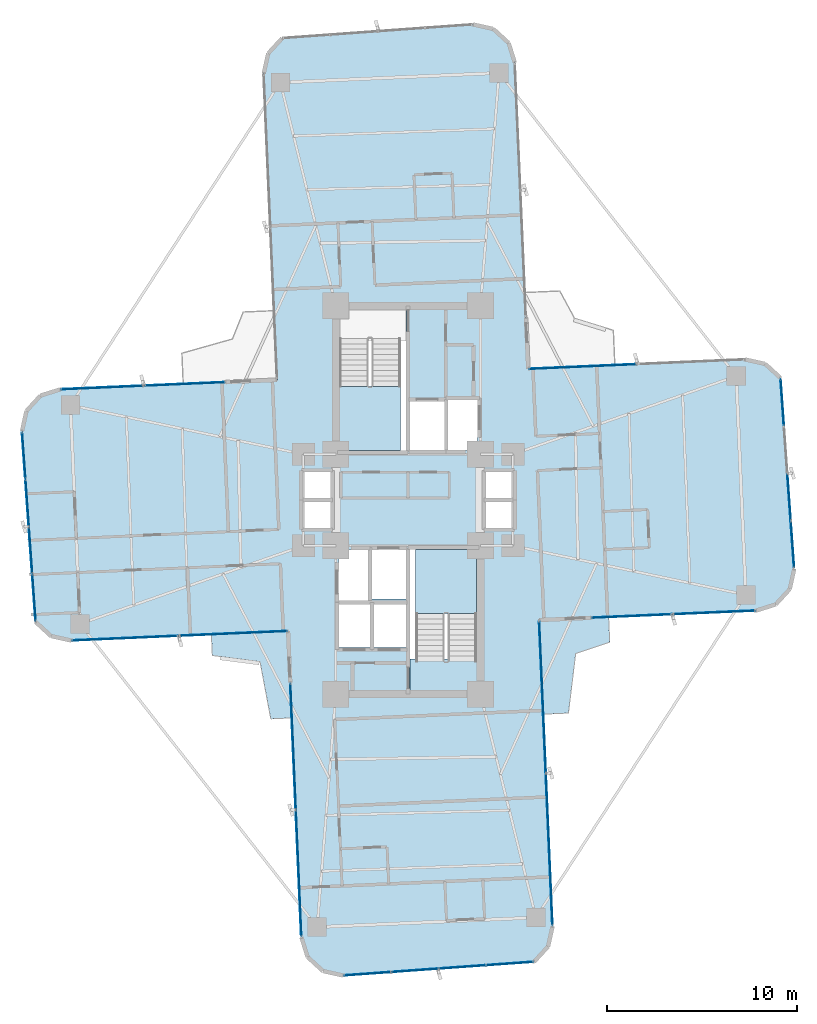
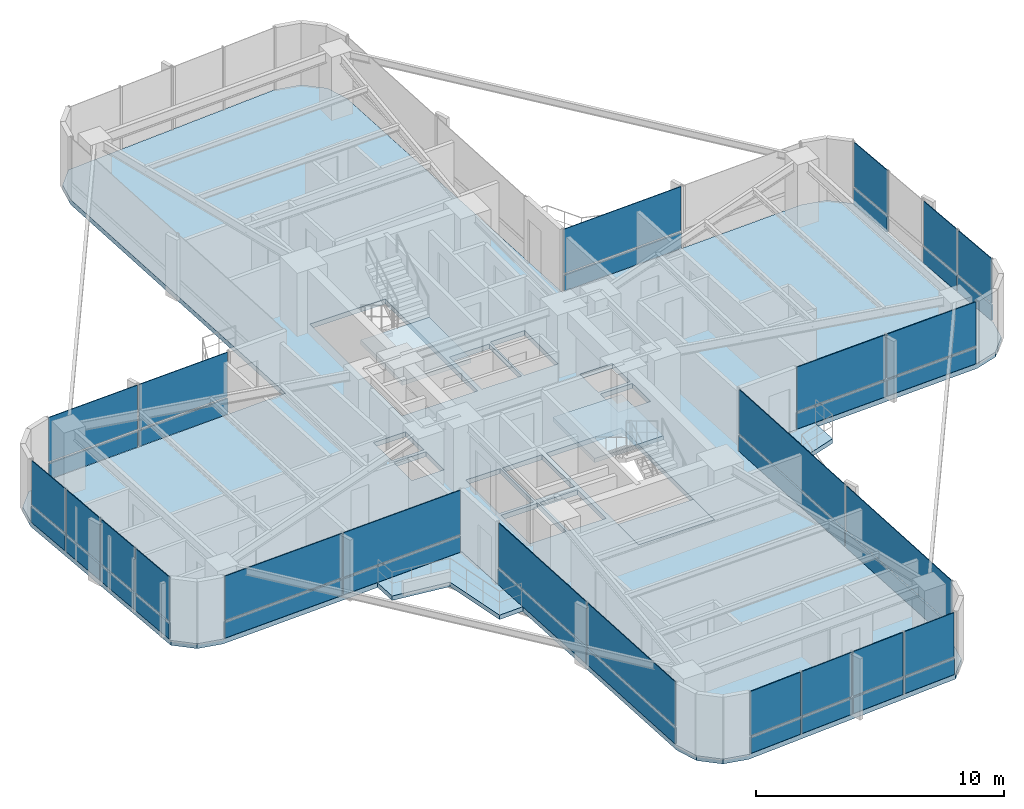
# One storey, part 21 of 26: 44 plates, 6 slabs, 11 elements without a shape of their own.
"""IFC4 building model written with IfcOpenShell, lengths in metres."""

from ifc_helpers import new_model, si_unit, direction, frame, origin, origin_2d, place, context, subcontext, project, spatial, polyline, rectangle, outline, extrude, source, transform, mapped, material, layer, layer_set, type_object, element, aggregate, save


model = new_model("IFC4")

# Units and contexts
model_context = context("Model", 3, precision=1e-05, world=origin(), true_north=direction((0.0, 1.0)))
body_context = subcontext(model_context, "Body", "Model", "MODEL_VIEW")
ifc_project = project(units=[si_unit("LENGTHUNIT", "METRE"), si_unit("AREAUNIT", "SQUARE_METRE"), si_unit("VOLUMEUNIT", "CUBIC_METRE"), si_unit("PLANEANGLEUNIT", "RADIAN"), si_unit("MASSUNIT", "GRAM", prefix="KILO")], contexts=[model_context])

# Site, building, storey
site_placement = place(None, origin())
site = spatial("IfcSite", under=ifc_project, at=site_placement, CompositionType="ELEMENT")
building_placement = place(site_placement, origin())
building = spatial("IfcBuilding", under=site, at=building_placement, Name="Sahyath Konkavel Grand Hotel", CompositionType="ELEMENT")
storey_placement = place(building_placement, frame((0.0, 0.0, 111.449951171875)))
storey = spatial("IfcBuildingStorey", under=building, at=storey_placement, Name="L30", CompositionType="ELEMENT", Elevation=111.449951171875)

# Slabs
ifc_material_1 = material(Name="Concrete C40/50", Category="concrete")
ifc_layer_1 = layer(ifc_material_1, 0.239990234375)
ifc_layer_set_1 = layer_set([ifc_layer_1], Name="Concrete C40/50")
slab_type_1 = type_object("IfcSlabType", Name="SLB-240", PredefinedType="FLOOR", material=ifc_layer_set_1)
slab_1_placement = place(storey_placement, frame((0.0, 0.0, -0.239990234375)))
element("IfcSlab", 1, at=slab_1_placement, inside=storey, type_object=slab_type_1, Name="L30 Structural Floor Slab", PredefinedType="FLOOR", context=body_context, shape_type="SweptSolid", body=[
    extrude(outline(polyline([(6.881591796875, -6.305908203125), (18.270751953125, -5.80859375), (19.3076171875, -5.481689453125), (20.0419921875, -4.68017578125), (20.277099609375, -3.618896484375), (19.5576171875, 6.4091796875), (18.75634765625, 7.1435546875), (17.695068359375, 7.37890625), (6.305908203125, 6.881591796875), (5.603515625, 22.96630859375), (5.276611328125, 24.0029296875), (4.47509765625, 24.7373046875), (3.4140625, 24.97265625), (-6.6142578125, 24.253173828125), (-7.3486328125, 23.451904296875), (-7.583984375, 22.390380859375), (-6.881591796875, 6.305908203125), (-18.270751953125, 5.80859375), (-19.3076171875, 5.481689453125), (-20.0419921875, 4.68017578125), (-20.277099609375, 3.618896484375), (-19.5576171875, -6.4091796875), (-18.75634765625, -7.1435546875), (-17.695068359375, -7.37890625), (-6.305908203125, -6.881591796875), (-5.603515625, -22.96630859375), (-5.276611328125, -24.0029296875), (-4.47509765625, -24.7373046875), (-3.4140625, -24.97265625), (6.6142578125, -24.253173828125), (7.3486328125, -23.451904296875), (7.583984375, -22.390380859375), (6.881591796875, -6.305908203125)]), holes=[polyline([(-3.6201171875, 2.580078125), (-0.10009765625, 2.580078125), (-0.10009765625, 10.02001953125), (-3.6201171875, 10.02001953125), (-3.6201171875, 2.580078125)]), polyline([(0.10009765625, -10.02001953125), (3.6201171875, -10.02001953125), (3.6201171875, -2.580078125), (0.10009765625, -2.580078125), (0.10009765625, -10.02001953125)]), polyline([(0.10009765625, 2.60009765625), (1.949951171875, 2.60009765625), (1.949951171875, 5.199951171875), (0.10009765625, 5.199951171875), (0.10009765625, 2.60009765625)]), polyline([(-1.949951171875, -5.199951171875), (-0.10009765625, -5.199951171875), (-0.10009765625, -2.60009765625), (-1.949951171875, -2.60009765625), (-1.949951171875, -5.199951171875)]), polyline([(2.050048828125, 2.60009765625), (3.64990234375, 2.60009765625), (3.64990234375, 5.300048828125), (2.050048828125, 5.300048828125), (2.050048828125, 2.60009765625)]), polyline([(-3.64990234375, -5.300048828125), (-2.050048828125, -5.300048828125), (-2.050048828125, -2.60009765625), (-3.64990234375, -2.60009765625), (-3.64990234375, -5.300048828125)]), polyline([(-3.64990234375, -7.75), (-1.949951171875, -7.75), (-1.949951171875, -5.449951171875), (-3.64990234375, -5.449951171875), (-3.64990234375, -7.75)]), polyline([(-1.85009765625, -7.75), (-0.10009765625, -7.75), (-0.10009765625, -5.449951171875), (-1.85009765625, -5.449951171875), (-1.85009765625, -7.75)]), polyline([(4.050048828125, 0.080078125), (5.550048828125, 0.080078125), (5.550048828125, 1.5400390625), (4.050048828125, 1.5400390625), (4.050048828125, 0.080078125)]), polyline([(4.050048828125, -1.5400390625), (5.550048828125, -1.5400390625), (5.550048828125, -0.080078125), (4.050048828125, -0.080078125), (4.050048828125, -1.5400390625)]), polyline([(-5.550048828125, 0.080078125), (-4.050048828125, 0.080078125), (-4.050048828125, 1.5400390625), (-5.550048828125, 1.5400390625), (-5.550048828125, 0.080078125)]), polyline([(-5.550048828125, -1.5400390625), (-4.050048828125, -1.5400390625), (-4.050048828125, -0.080078125), (-5.550048828125, -0.080078125), (-5.550048828125, -1.5400390625)])]), origin(), (0.0, 0.0, 1.0), 0.239990234375),
])
ifc_layer_2 = layer(ifc_material_1, 0.219970703125)
ifc_layer_set_2 = layer_set([ifc_layer_2], Name="Concrete C40/50")
slab_type_2 = type_object("IfcSlabType", Name="SLB-BALCONY-220", PredefinedType="FLOOR", material=ifc_layer_set_2)
slab_2_placement = place(storey_placement, frame((0.0, 0.0, -0.219970703125)))
element("IfcSlab", 2, at=slab_2_placement, inside=storey, type_object=slab_type_2, Name="L30 Winter-Garden Balcony SW", PredefinedType="FLOOR", context=body_context, shape_type="SweptSolid", body=[
    extrude(outline(polyline([(-6.305908203125, -6.881591796875), (-10.333984375, -7.0576171875), (-10.28564453125, -8.166748046875), (-7.779052734375, -8.489501953125), (-7.2158203125, -11.49365234375), (-6.106689453125, -11.4453125), (-6.305908203125, -6.881591796875)])), origin(), (0.0, 0.0, 1.0), 0.219970703125),
])
slab_3_placement = place(storey_placement, frame((0.0, 0.0, -0.219970703125)))
element("IfcSlab", 3, at=slab_3_placement, inside=storey, type_object=slab_type_2, Name="L30 Winter-Garden Balcony SE", PredefinedType="FLOOR", context=body_context, shape_type="SweptSolid", body=[
    extrude(outline(polyline([(6.881591796875, -6.305908203125), (7.097412109375, -11.248046875), (8.4208984375, -11.190185546875), (8.800048828125, -8.063720703125), (10.5888671875, -7.469970703125), (10.531005859375, -6.146484375), (6.881591796875, -6.305908203125)])), origin(), (0.0, 0.0, 1.0), 0.219970703125),
])

# Stair, slab
stair_type = type_object("IfcStairType", Name="STR-ST16-335", PredefinedType="HALF_TURN_STAIR", material=ifc_material_1)
stair_1_placement = place(storey_placement, origin())
stair_1 = element("IfcStair", 4, at=stair_1_placement, inside=storey, type_object=stair_type, Name="L30 North Core Smokeproof Exit Stair ST-1", PredefinedType="HALF_TURN_STAIR")
ifc_layer_3 = layer(ifc_material_1, 0.199951171875)
ifc_layer_set_3 = layer_set([ifc_layer_3], Name="Concrete C40/50")
slab_type_3 = type_object("IfcSlabType", Name="SLB-STAIR-LND", PredefinedType="LANDING", material=ifc_layer_set_3)
slab_4_placement = place(storey_placement, frame((0.0, 0.0, 1.47509765625)))
slab_4 = element("IfcSlab", 5, at=slab_4_placement, type_object=slab_type_3, Name="ST-1 landing 1", PredefinedType="LANDING", context=body_context, shape_type="SweptSolid", body=[
    extrude(outline(polyline([(-3.60009765625, 5.9599609375), (-3.60009765625, 2.60009765625), (-0.39990234375, 2.60009765625), (-0.39990234375, 5.9599609375), (-3.60009765625, 5.9599609375)])), origin(), (0.0, 0.0, 1.0), 0.199951171875),
])
aggregate(stair_1, [slab_4])

stair_2_placement = place(storey_placement, origin())
stair_2 = element("IfcStair", 6, at=stair_2_placement, inside=storey, type_object=stair_type, Name="L30 South Core Smokeproof Exit Stair ST-2", PredefinedType="HALF_TURN_STAIR")
slab_5_placement = place(storey_placement, frame((0.0, 0.0, 1.47509765625)))
slab_5 = element("IfcSlab", 7, at=slab_5_placement, type_object=slab_type_3, Name="ST-2 landing 1", PredefinedType="LANDING", context=body_context, shape_type="SweptSolid", body=[
    extrude(outline(polyline([(3.60009765625, -5.9599609375), (3.60009765625, -2.60009765625), (0.39990234375, -2.60009765625), (0.39990234375, -5.9599609375), (3.60009765625, -5.9599609375)])), origin(), (0.0, 0.0, 1.0), 0.199951171875),
])
aggregate(stair_2, [slab_5])

# Slab
slab_6_placement = place(storey_placement, frame((0.0, 0.0, -0.199951171875)))
element("IfcSlab", 8, at=slab_6_placement, inside=storey, type_object=slab_type_3, Name="L30 Stair ST-2 Floor Landing Slab", PredefinedType="LANDING", context=body_context, shape_type="SweptSolid", body=[
    extrude(outline(polyline([(0.10009765625, -10.02001953125), (3.6201171875, -10.02001953125), (3.6201171875, -8.35009765625), (0.10009765625, -8.35009765625), (0.10009765625, -10.02001953125)])), origin(), (0.0, 0.0, 1.0), 0.199951171875),
])

# Curtain wall, plates
ifc_material_2 = material(Name="Anodised Bronze Aluminium & Low-E Glazing", Category="aluminium")
curtain_wall_type = type_object("IfcCurtainWallType", Name="CW-ZONE2", PredefinedType="NOTDEFINED", material=ifc_material_2)
curtain_wall_1_placement = place(storey_placement, origin())
curtain_wall_1 = element("IfcCurtainWall", 9, at=curtain_wall_1_placement, inside=storey, type_object=curtain_wall_type, Name="L30 Unitised Curtain Wall F0", PredefinedType="NOTDEFINED")
ifc_material_3 = material(Name="Warm Buff Sandstone Cladding", Category="masonry")
ifc_layer_4 = layer(ifc_material_3, 0.074951171875)
ifc_layer_set_4 = layer_set([ifc_layer_4], Name="Warm Buff Sandstone Cladding")
plate_type_1 = type_object("IfcPlateType", Name="PNL-SPANDREL-STONE", PredefinedType="SHEET", material=ifc_layer_set_4)
shared_shape_1 = source(origin(), body_context, "Body", "SweptSolid", [
    extrude(rectangle(XDim=4.22998046875, YDim=0.074951171875, at=origin_2d()), origin(), (0.0, 0.0, 1.0), 0.77001953125),
])
plate_1_placement = place(storey_placement, frame((11.77197265625, -6.09228515625, 0.0400390625), z_axis=(0.0, 0.0, 1.0), x_axis=(0.999048982732, 0.043601950678, 0.0)))
plate_1 = element("IfcPlate", 10, at=plate_1_placement, type_object=plate_type_1, Name="L30 Sandstone Relief Spandrel Panel F0-0", PredefinedType="SHEET", context=body_context, shape_type="MappedRepresentation", body=[
    mapped(shared_shape_1, transform((0.0, 0.0, 0.0), scale=1.0)),
])
plate_2_placement = place(storey_placement, frame((16.077880859375, -5.904296875, 0.0400390625), z_axis=(0.0, 0.0, 1.0), x_axis=(0.999048982732, 0.043601950678, 0.0)))
plate_2 = element("IfcPlate", 11, at=plate_2_placement, type_object=plate_type_1, Name="L30 Sandstone Relief Spandrel Panel F0-1", PredefinedType="SHEET", context=body_context, shape_type="MappedRepresentation", body=[
    mapped(shared_shape_1, transform((0.0, 0.0, 0.0), scale=1.0)),
])

curtain_wall_2_placement = place(storey_placement, origin())
curtain_wall_2 = element("IfcCurtainWall", 12, at=curtain_wall_2_placement, inside=storey, type_object=curtain_wall_type, Name="L30 Unitised Curtain Wall F16", PredefinedType="NOTDEFINED")
plate_3_placement = place(storey_placement, frame((-11.77197265625, 6.09228515625, 0.0400390625), z_axis=(0.0, 0.0, 1.0), x_axis=(-0.999048982732, -0.043601950678, 0.0)))
plate_3 = element("IfcPlate", 13, at=plate_3_placement, type_object=plate_type_1, Name="L30 Sandstone Relief Spandrel Panel F16-0", PredefinedType="SHEET", context=body_context, shape_type="MappedRepresentation", body=[
    mapped(shared_shape_1, transform((0.0, 0.0, 0.0), scale=1.0)),
])
plate_4_placement = place(storey_placement, frame((-16.077880859375, 5.904296875, 0.0400390625), z_axis=(0.0, 0.0, 1.0), x_axis=(-0.999048982732, -0.043601950678, 0.0)))
plate_4 = element("IfcPlate", 14, at=plate_4_placement, type_object=plate_type_1, Name="L30 Sandstone Relief Spandrel Panel F16-1", PredefinedType="SHEET", context=body_context, shape_type="MappedRepresentation", body=[
    mapped(shared_shape_1, transform((0.0, 0.0, 0.0), scale=1.0)),
])

curtain_wall_3_placement = place(storey_placement, origin())
curtain_wall_3 = element("IfcCurtainWall", 15, at=curtain_wall_3_placement, inside=storey, type_object=curtain_wall_type, Name="L30 Unitised Curtain Wall F4", PredefinedType="NOTDEFINED")
shared_shape_2 = source(origin(), body_context, "Body", "SweptSolid", [
    extrude(rectangle(XDim=2.41357421875, YDim=0.074951171875, at=origin_2d()), origin(), (0.0, 0.0, 1.0), 0.77001953125),
])
plate_5_placement = place(storey_placement, frame((20.18505859375, -2.335693359375, 0.0400390625), z_axis=(0.0, 0.0, 1.0), x_axis=(-0.071567078661, 0.997435789037, 0.0)))
plate_5 = element("IfcPlate", 16, at=plate_5_placement, type_object=plate_type_1, Name="L30 Sandstone Relief Spandrel Panel F4-0", PredefinedType="SHEET", context=body_context, shape_type="MappedRepresentation", body=[
    mapped(shared_shape_2, transform((0.0, 0.0, 0.0), scale=1.0)),
])
plate_6_placement = place(storey_placement, frame((20.006591796875, 0.151611328125, 0.0400390625), z_axis=(0.0, 0.0, 1.0), x_axis=(-0.071567078661, 0.997435789037, 0.0)))
plate_6 = element("IfcPlate", 17, at=plate_6_placement, type_object=plate_type_1, Name="L30 Sandstone Relief Spandrel Panel F4-1", PredefinedType="SHEET", context=body_context, shape_type="MappedRepresentation", body=[
    mapped(shared_shape_2, transform((0.0, 0.0, 0.0), scale=1.0)),
])
plate_7_placement = place(storey_placement, frame((19.64990234375, 5.125732421875, 0.0400390625), z_axis=(0.0, 0.0, 1.0), x_axis=(-0.071567078661, 0.997435789037, 0.0)))
plate_7 = element("IfcPlate", 18, at=plate_7_placement, type_object=plate_type_1, Name="L30 Sandstone Relief Spandrel Panel F4-3", PredefinedType="SHEET", context=body_context, shape_type="MappedRepresentation", body=[
    mapped(shared_shape_2, transform((0.0, 0.0, 0.0), scale=1.0)),
])

curtain_wall_4_placement = place(storey_placement, origin())
curtain_wall_4 = element("IfcCurtainWall", 19, at=curtain_wall_4_placement, inside=storey, type_object=curtain_wall_type, Name="L30 Unitised Curtain Wall F20", PredefinedType="NOTDEFINED")
plate_8_placement = place(storey_placement, frame((-20.18505859375, 2.335693359375, 0.0400390625), z_axis=(0.0, 0.0, 1.0), x_axis=(0.071567078661, -0.997435789037, 0.0)))
plate_8 = element("IfcPlate", 20, at=plate_8_placement, type_object=plate_type_1, Name="L30 Sandstone Relief Spandrel Panel F20-0", PredefinedType="SHEET", context=body_context, shape_type="MappedRepresentation", body=[
    mapped(shared_shape_2, transform((0.0, 0.0, 0.0), scale=1.0)),
])
plate_9_placement = place(storey_placement, frame((-20.006591796875, -0.151611328125, 0.0400390625), z_axis=(0.0, 0.0, 1.0), x_axis=(0.071567078661, -0.997435789037, 0.0)))
plate_9 = element("IfcPlate", 21, at=plate_9_placement, type_object=plate_type_1, Name="L30 Sandstone Relief Spandrel Panel F20-1", PredefinedType="SHEET", context=body_context, shape_type="MappedRepresentation", body=[
    mapped(shared_shape_2, transform((0.0, 0.0, 0.0), scale=1.0)),
])
plate_10_placement = place(storey_placement, frame((-19.828369140625, -2.638671875, 0.0400390625), z_axis=(0.0, 0.0, 1.0), x_axis=(0.071567078661, -0.997435789037, 0.0)))
plate_10 = element("IfcPlate", 22, at=plate_10_placement, type_object=plate_type_1, Name="L30 Sandstone Relief Spandrel Panel F20-2", PredefinedType="SHEET", context=body_context, shape_type="MappedRepresentation", body=[
    mapped(shared_shape_2, transform((0.0, 0.0, 0.0), scale=1.0)),
])
plate_11_placement = place(storey_placement, frame((-19.64990234375, -5.125732421875, 0.0400390625), z_axis=(0.0, 0.0, 1.0), x_axis=(0.071567078661, -0.997435789037, 0.0)))
plate_11 = element("IfcPlate", 23, at=plate_11_placement, type_object=plate_type_1, Name="L30 Sandstone Relief Spandrel Panel F20-3", PredefinedType="SHEET", context=body_context, shape_type="MappedRepresentation", body=[
    mapped(shared_shape_2, transform((0.0, 0.0, 0.0), scale=1.0)),
])

curtain_wall_5_placement = place(storey_placement, origin())
curtain_wall_5 = element("IfcCurtainWall", 24, at=curtain_wall_5_placement, inside=storey, type_object=curtain_wall_type, Name="L30 Unitised Curtain Wall F28", PredefinedType="NOTDEFINED")
plate_12_placement = place(storey_placement, frame((-2.130615234375, -24.880615234375, 0.0400390625), z_axis=(0.0, 0.0, 1.0), x_axis=(0.997435789037, 0.071567078661, 0.0)))
plate_12 = element("IfcPlate", 25, at=plate_12_placement, type_object=plate_type_1, Name="L30 Sandstone Relief Spandrel Panel F28-0", PredefinedType="SHEET", context=body_context, shape_type="MappedRepresentation", body=[
    mapped(shared_shape_2, transform((0.0, 0.0, 0.0), scale=1.0)),
])
plate_13_placement = place(storey_placement, frame((0.356689453125, -24.7021484375, 0.0400390625), z_axis=(0.0, 0.0, 1.0), x_axis=(0.997435789037, 0.071567078661, 0.0)))
plate_13 = element("IfcPlate", 26, at=plate_13_placement, type_object=plate_type_1, Name="L30 Sandstone Relief Spandrel Panel F28-1", PredefinedType="SHEET", context=body_context, shape_type="MappedRepresentation", body=[
    mapped(shared_shape_2, transform((0.0, 0.0, 0.0), scale=1.0)),
])
plate_14_placement = place(storey_placement, frame((2.84375, -24.523681640625, 0.0400390625), z_axis=(0.0, 0.0, 1.0), x_axis=(0.997435789037, 0.071567078661, 0.0)))
plate_14 = element("IfcPlate", 27, at=plate_14_placement, type_object=plate_type_1, Name="L30 Sandstone Relief Spandrel Panel F28-2", PredefinedType="SHEET", context=body_context, shape_type="MappedRepresentation", body=[
    mapped(shared_shape_2, transform((0.0, 0.0, 0.0), scale=1.0)),
])
plate_15_placement = place(storey_placement, frame((5.330810546875, -24.34521484375, 0.0400390625), z_axis=(0.0, 0.0, 1.0), x_axis=(0.997435789037, 0.071567078661, 0.0)))
plate_15 = element("IfcPlate", 28, at=plate_15_placement, type_object=plate_type_1, Name="L30 Sandstone Relief Spandrel Panel F28-3", PredefinedType="SHEET", context=body_context, shape_type="MappedRepresentation", body=[
    mapped(shared_shape_2, transform((0.0, 0.0, 0.0), scale=1.0)),
])

# Curtain wall, plate
curtain_wall_6_placement = place(storey_placement, origin())
curtain_wall_6 = element("IfcCurtainWall", 29, at=curtain_wall_6_placement, inside=storey, type_object=curtain_wall_type, Name="L30 Unitised Curtain Wall F7", PredefinedType="NOTDEFINED")
shared_shape_3 = source(origin(), body_context, "Body", "SweptSolid", [
    extrude(rectangle(XDim=5.580078125, YDim=0.074951171875, at=origin_2d()), origin(), (0.0, 0.0, 1.0), 0.77001953125),
])
plate_16_placement = place(storey_placement, frame((9.173095703125, 7.0068359375, 0.0400390625), z_axis=(0.0, 0.0, 1.0), x_axis=(-0.999048221582, -0.043619387365, 0.0)))
plate_16 = element("IfcPlate", 30, at=plate_16_placement, type_object=plate_type_1, Name="L30 Sandstone Relief Spandrel Panel F7-1", PredefinedType="SHEET", context=body_context, shape_type="MappedRepresentation", body=[
    mapped(shared_shape_3, transform((0.0, 0.0, 0.0), scale=1.0)),
])

# Curtain wall, plates
curtain_wall_7_placement = place(storey_placement, origin())
curtain_wall_7 = element("IfcCurtainWall", 31, at=curtain_wall_7_placement, inside=storey, type_object=curtain_wall_type, Name="L30 Unitised Curtain Wall F23", PredefinedType="NOTDEFINED")
plate_17_placement = place(storey_placement, frame((-14.82763671875, -7.25390625, 0.0400390625), z_axis=(0.0, 0.0, 1.0), x_axis=(0.999048221582, 0.043619387365, 0.0)))
plate_17 = element("IfcPlate", 32, at=plate_17_placement, type_object=plate_type_1, Name="L30 Sandstone Relief Spandrel Panel F23-0", PredefinedType="SHEET", context=body_context, shape_type="MappedRepresentation", body=[
    mapped(shared_shape_3, transform((0.0, 0.0, 0.0), scale=1.0)),
])
plate_18_placement = place(storey_placement, frame((-9.173095703125, -7.0068359375, 0.0400390625), z_axis=(0.0, 0.0, 1.0), x_axis=(0.999048221582, 0.043619387365, 0.0)))
plate_18 = element("IfcPlate", 33, at=plate_18_placement, type_object=plate_type_1, Name="L30 Sandstone Relief Spandrel Panel F23-1", PredefinedType="SHEET", context=body_context, shape_type="MappedRepresentation", body=[
    mapped(shared_shape_3, transform((0.0, 0.0, 0.0), scale=1.0)),
])

curtain_wall_8_placement = place(storey_placement, origin())
curtain_wall_8 = element("IfcCurtainWall", 34, at=curtain_wall_8_placement, inside=storey, type_object=curtain_wall_type, Name="L30 Unitised Curtain Wall F24", PredefinedType="NOTDEFINED")
shared_shape_4 = source(origin(), body_context, "Body", "SweptSolid", [
    extrude(rectangle(XDim=6.580078125, YDim=0.074951171875, at=origin_2d()), origin(), (0.0, 0.0, 1.0), 0.77001953125),
])
plate_19_placement = place(storey_placement, frame((-6.041015625, -12.94580078125, 0.0400390625), z_axis=(0.0, 0.0, 1.0), x_axis=(0.043619387365, -0.999048221582, 0.0)))
plate_19 = element("IfcPlate", 35, at=plate_19_placement, type_object=plate_type_1, Name="L30 Sandstone Relief Spandrel Panel F24-0", PredefinedType="SHEET", context=body_context, shape_type="MappedRepresentation", body=[
    mapped(shared_shape_4, transform((0.0, 0.0, 0.0), scale=1.0)),
])
plate_20_placement = place(storey_placement, frame((-5.75048828125, -19.599609375, 0.0400390625), z_axis=(0.0, 0.0, 1.0), x_axis=(0.043619387365, -0.999048221582, 0.0)))
plate_20 = element("IfcPlate", 36, at=plate_20_placement, type_object=plate_type_1, Name="L30 Sandstone Relief Spandrel Panel F24-1", PredefinedType="SHEET", context=body_context, shape_type="MappedRepresentation", body=[
    mapped(shared_shape_4, transform((0.0, 0.0, 0.0), scale=1.0)),
])

curtain_wall_9_placement = place(storey_placement, origin())
curtain_wall_9 = element("IfcCurtainWall", 37, at=curtain_wall_9_placement, inside=storey, type_object=curtain_wall_type, Name="L30 Unitised Curtain Wall F31", PredefinedType="NOTDEFINED")
shared_shape_5 = source(origin(), body_context, "Body", "SweptSolid", [
    extrude(rectangle(XDim=7.929931640625, YDim=0.074951171875, at=origin_2d()), origin(), (0.0, 0.0, 1.0), 0.77001953125),
])
plate_21_placement = place(storey_placement, frame((7.407470703125, -18.349365234375, 0.0400390625), z_axis=(0.0, 0.0, 1.0), x_axis=(-0.043619387365, 0.999048221582, 0.0)))
plate_21 = element("IfcPlate", 38, at=plate_21_placement, type_object=plate_type_1, Name="L30 Sandstone Relief Spandrel Panel F31-0", PredefinedType="SHEET", context=body_context, shape_type="MappedRepresentation", body=[
    mapped(shared_shape_5, transform((0.0, 0.0, 0.0), scale=1.0)),
])
plate_22_placement = place(storey_placement, frame((7.05810546875, -10.346923828125, 0.0400390625), z_axis=(0.0, 0.0, 1.0), x_axis=(-0.043619387365, 0.999048221582, 0.0)))
plate_22 = element("IfcPlate", 39, at=plate_22_placement, type_object=plate_type_1, Name="L30 Sandstone Relief Spandrel Panel F31-1", PredefinedType="SHEET", context=body_context, shape_type="MappedRepresentation", body=[
    mapped(shared_shape_5, transform((0.0, 0.0, 0.0), scale=1.0)),
])

# Plate
ifc_material_4 = material(Name="Low-E Solar Control Double Glazing", Category="glass")
ifc_layer_5 = layer(ifc_material_4, 0.035888671875)
ifc_layer_set_5 = layer_set([ifc_layer_5], Name="Low-E Solar Control Double Glazing")
plate_type_2 = type_object("IfcPlateType", Name="PNL-VISION-LOWE", PredefinedType="CURTAIN_PANEL", material=ifc_layer_set_5)
shared_shape_6 = source(origin(), body_context, "Body", "SweptSolid", [
    extrude(rectangle(XDim=4.22998046875, YDim=0.035888671875, at=origin_2d()), origin(), (0.0, 0.0, 1.0), 2.179931640625),
])
plate_23_placement = place(storey_placement, frame((11.77197265625, -6.09228515625, 0.89013671875), z_axis=(0.0, 0.0, 1.0), x_axis=(0.999048982732, 0.043601950678, 0.0)))
plate_23 = element("IfcPlate", 40, at=plate_23_placement, type_object=plate_type_2, Name="L30 Low-E Vision Glazing Panel F0-0", PredefinedType="CURTAIN_PANEL", context=body_context, shape_type="MappedRepresentation", body=[
    mapped(shared_shape_6, transform((0.0, 0.0, 0.0), scale=1.0)),
])

plate_24_placement = place(storey_placement, frame((16.077880859375, -5.904296875, 0.89013671875), z_axis=(0.0, 0.0, 1.0), x_axis=(0.999048982732, 0.043601950678, 0.0)))
plate_24 = element("IfcPlate", 41, at=plate_24_placement, type_object=plate_type_2, Name="L30 Low-E Vision Glazing Panel F0-1", PredefinedType="CURTAIN_PANEL", context=body_context, shape_type="MappedRepresentation", body=[
    mapped(shared_shape_6, transform((0.0, 0.0, 0.0), scale=1.0)),
])

aggregate(curtain_wall_1, [plate_1, plate_23, plate_2, plate_24])

plate_25_placement = place(storey_placement, frame((-11.77197265625, 6.09228515625, 0.89013671875), z_axis=(0.0, 0.0, 1.0), x_axis=(-0.999048982732, -0.043601950678, 0.0)))
plate_25 = element("IfcPlate", 42, at=plate_25_placement, type_object=plate_type_2, Name="L30 Low-E Vision Glazing Panel F16-0", PredefinedType="CURTAIN_PANEL", context=body_context, shape_type="MappedRepresentation", body=[
    mapped(shared_shape_6, transform((0.0, 0.0, 0.0), scale=1.0)),
])

plate_26_placement = place(storey_placement, frame((-16.077880859375, 5.904296875, 0.89013671875), z_axis=(0.0, 0.0, 1.0), x_axis=(-0.999048982732, -0.043601950678, 0.0)))
plate_26 = element("IfcPlate", 43, at=plate_26_placement, type_object=plate_type_2, Name="L30 Low-E Vision Glazing Panel F16-1", PredefinedType="CURTAIN_PANEL", context=body_context, shape_type="MappedRepresentation", body=[
    mapped(shared_shape_6, transform((0.0, 0.0, 0.0), scale=1.0)),
])

aggregate(curtain_wall_2, [plate_3, plate_25, plate_4, plate_26])

shared_shape_7 = source(origin(), body_context, "Body", "SweptSolid", [
    extrude(rectangle(XDim=2.41357421875, YDim=0.035888671875, at=origin_2d()), origin(), (0.0, 0.0, 1.0), 2.179931640625),
])
plate_27_placement = place(storey_placement, frame((20.18505859375, -2.335693359375, 0.89013671875), z_axis=(0.0, 0.0, 1.0), x_axis=(-0.071567078661, 0.997435789037, 0.0)))
plate_27 = element("IfcPlate", 44, at=plate_27_placement, type_object=plate_type_2, Name="L30 Low-E Vision Glazing Panel F4-0", PredefinedType="CURTAIN_PANEL", context=body_context, shape_type="MappedRepresentation", body=[
    mapped(shared_shape_7, transform((0.0, 0.0, 0.0), scale=1.0)),
])

plate_28_placement = place(storey_placement, frame((20.006591796875, 0.151611328125, 0.89013671875), z_axis=(0.0, 0.0, 1.0), x_axis=(-0.071567078661, 0.997435789037, 0.0)))
plate_28 = element("IfcPlate", 45, at=plate_28_placement, type_object=plate_type_2, Name="L30 Low-E Vision Glazing Panel F4-1", PredefinedType="CURTAIN_PANEL", context=body_context, shape_type="MappedRepresentation", body=[
    mapped(shared_shape_7, transform((0.0, 0.0, 0.0), scale=1.0)),
])

plate_29_placement = place(storey_placement, frame((19.64990234375, 5.125732421875, 0.89013671875), z_axis=(0.0, 0.0, 1.0), x_axis=(-0.071567078661, 0.997435789037, 0.0)))
plate_29 = element("IfcPlate", 46, at=plate_29_placement, type_object=plate_type_2, Name="L30 Low-E Vision Glazing Panel F4-3", PredefinedType="CURTAIN_PANEL", context=body_context, shape_type="MappedRepresentation", body=[
    mapped(shared_shape_7, transform((0.0, 0.0, 0.0), scale=1.0)),
])

aggregate(curtain_wall_3, [plate_5, plate_27, plate_6, plate_28, plate_7, plate_29])

plate_30_placement = place(storey_placement, frame((-20.18505859375, 2.335693359375, 0.89013671875), z_axis=(0.0, 0.0, 1.0), x_axis=(0.071567078661, -0.997435789037, 0.0)))
plate_30 = element("IfcPlate", 47, at=plate_30_placement, type_object=plate_type_2, Name="L30 Low-E Vision Glazing Panel F20-0", PredefinedType="CURTAIN_PANEL", context=body_context, shape_type="MappedRepresentation", body=[
    mapped(shared_shape_7, transform((0.0, 0.0, 0.0), scale=1.0)),
])

plate_31_placement = place(storey_placement, frame((-20.006591796875, -0.151611328125, 0.89013671875), z_axis=(0.0, 0.0, 1.0), x_axis=(0.071567078661, -0.997435789037, 0.0)))
plate_31 = element("IfcPlate", 48, at=plate_31_placement, type_object=plate_type_2, Name="L30 Low-E Vision Glazing Panel F20-1", PredefinedType="CURTAIN_PANEL", context=body_context, shape_type="MappedRepresentation", body=[
    mapped(shared_shape_7, transform((0.0, 0.0, 0.0), scale=1.0)),
])

plate_32_placement = place(storey_placement, frame((-19.828369140625, -2.638671875, 0.89013671875), z_axis=(0.0, 0.0, 1.0), x_axis=(0.071567078661, -0.997435789037, 0.0)))
plate_32 = element("IfcPlate", 49, at=plate_32_placement, type_object=plate_type_2, Name="L30 Low-E Vision Glazing Panel F20-2", PredefinedType="CURTAIN_PANEL", context=body_context, shape_type="MappedRepresentation", body=[
    mapped(shared_shape_7, transform((0.0, 0.0, 0.0), scale=1.0)),
])

plate_33_placement = place(storey_placement, frame((-19.64990234375, -5.125732421875, 0.89013671875), z_axis=(0.0, 0.0, 1.0), x_axis=(0.071567078661, -0.997435789037, 0.0)))
plate_33 = element("IfcPlate", 50, at=plate_33_placement, type_object=plate_type_2, Name="L30 Low-E Vision Glazing Panel F20-3", PredefinedType="CURTAIN_PANEL", context=body_context, shape_type="MappedRepresentation", body=[
    mapped(shared_shape_7, transform((0.0, 0.0, 0.0), scale=1.0)),
])

aggregate(curtain_wall_4, [plate_8, plate_30, plate_9, plate_31, plate_10, plate_32, plate_11, plate_33])

plate_34_placement = place(storey_placement, frame((-2.130615234375, -24.880615234375, 0.89013671875), z_axis=(0.0, 0.0, 1.0), x_axis=(0.997435789037, 0.071567078661, 0.0)))
plate_34 = element("IfcPlate", 51, at=plate_34_placement, type_object=plate_type_2, Name="L30 Low-E Vision Glazing Panel F28-0", PredefinedType="CURTAIN_PANEL", context=body_context, shape_type="MappedRepresentation", body=[
    mapped(shared_shape_7, transform((0.0, 0.0, 0.0), scale=1.0)),
])

plate_35_placement = place(storey_placement, frame((0.356689453125, -24.7021484375, 0.89013671875), z_axis=(0.0, 0.0, 1.0), x_axis=(0.997435789037, 0.071567078661, 0.0)))
plate_35 = element("IfcPlate", 52, at=plate_35_placement, type_object=plate_type_2, Name="L30 Low-E Vision Glazing Panel F28-1", PredefinedType="CURTAIN_PANEL", context=body_context, shape_type="MappedRepresentation", body=[
    mapped(shared_shape_7, transform((0.0, 0.0, 0.0), scale=1.0)),
])

plate_36_placement = place(storey_placement, frame((2.84375, -24.523681640625, 0.89013671875), z_axis=(0.0, 0.0, 1.0), x_axis=(0.997435789037, 0.071567078661, 0.0)))
plate_36 = element("IfcPlate", 53, at=plate_36_placement, type_object=plate_type_2, Name="L30 Low-E Vision Glazing Panel F28-2", PredefinedType="CURTAIN_PANEL", context=body_context, shape_type="MappedRepresentation", body=[
    mapped(shared_shape_7, transform((0.0, 0.0, 0.0), scale=1.0)),
])

plate_37_placement = place(storey_placement, frame((5.330810546875, -24.34521484375, 0.89013671875), z_axis=(0.0, 0.0, 1.0), x_axis=(0.997435789037, 0.071567078661, 0.0)))
plate_37 = element("IfcPlate", 54, at=plate_37_placement, type_object=plate_type_2, Name="L30 Low-E Vision Glazing Panel F28-3", PredefinedType="CURTAIN_PANEL", context=body_context, shape_type="MappedRepresentation", body=[
    mapped(shared_shape_7, transform((0.0, 0.0, 0.0), scale=1.0)),
])

aggregate(curtain_wall_5, [plate_12, plate_34, plate_13, plate_35, plate_14, plate_36, plate_15, plate_37])

shared_shape_8 = source(origin(), body_context, "Body", "SweptSolid", [
    extrude(rectangle(XDim=5.580078125, YDim=0.035888671875, at=origin_2d()), origin(), (0.0, 0.0, 1.0), 2.179931640625),
])
plate_38_placement = place(storey_placement, frame((9.173095703125, 7.0068359375, 0.89013671875), z_axis=(0.0, 0.0, 1.0), x_axis=(-0.999048221582, -0.043619387365, 0.0)))
plate_38 = element("IfcPlate", 55, at=plate_38_placement, type_object=plate_type_2, Name="L30 Low-E Vision Glazing Panel F7-1", PredefinedType="CURTAIN_PANEL", context=body_context, shape_type="MappedRepresentation", body=[
    mapped(shared_shape_8, transform((0.0, 0.0, 0.0), scale=1.0)),
])

aggregate(curtain_wall_6, [plate_16, plate_38])

plate_39_placement = place(storey_placement, frame((-14.82763671875, -7.25390625, 0.89013671875), z_axis=(0.0, 0.0, 1.0), x_axis=(0.999048221582, 0.043619387365, 0.0)))
plate_39 = element("IfcPlate", 56, at=plate_39_placement, type_object=plate_type_2, Name="L30 Low-E Vision Glazing Panel F23-0", PredefinedType="CURTAIN_PANEL", context=body_context, shape_type="MappedRepresentation", body=[
    mapped(shared_shape_8, transform((0.0, 0.0, 0.0), scale=1.0)),
])

plate_40_placement = place(storey_placement, frame((-9.173095703125, -7.0068359375, 0.89013671875), z_axis=(0.0, 0.0, 1.0), x_axis=(0.999048221582, 0.043619387365, 0.0)))
plate_40 = element("IfcPlate", 57, at=plate_40_placement, type_object=plate_type_2, Name="L30 Low-E Vision Glazing Panel F23-1", PredefinedType="CURTAIN_PANEL", context=body_context, shape_type="MappedRepresentation", body=[
    mapped(shared_shape_8, transform((0.0, 0.0, 0.0), scale=1.0)),
])

aggregate(curtain_wall_7, [plate_17, plate_39, plate_18, plate_40])

shared_shape_9 = source(origin(), body_context, "Body", "SweptSolid", [
    extrude(rectangle(XDim=6.580078125, YDim=0.035888671875, at=origin_2d()), origin(), (0.0, 0.0, 1.0), 2.179931640625),
])
plate_41_placement = place(storey_placement, frame((-6.041015625, -12.94580078125, 0.89013671875), z_axis=(0.0, 0.0, 1.0), x_axis=(0.043619387365, -0.999048221582, 0.0)))
plate_41 = element("IfcPlate", 58, at=plate_41_placement, type_object=plate_type_2, Name="L30 Low-E Vision Glazing Panel F24-0", PredefinedType="CURTAIN_PANEL", context=body_context, shape_type="MappedRepresentation", body=[
    mapped(shared_shape_9, transform((0.0, 0.0, 0.0), scale=1.0)),
])

plate_42_placement = place(storey_placement, frame((-5.75048828125, -19.599609375, 0.89013671875), z_axis=(0.0, 0.0, 1.0), x_axis=(0.043619387365, -0.999048221582, 0.0)))
plate_42 = element("IfcPlate", 59, at=plate_42_placement, type_object=plate_type_2, Name="L30 Low-E Vision Glazing Panel F24-1", PredefinedType="CURTAIN_PANEL", context=body_context, shape_type="MappedRepresentation", body=[
    mapped(shared_shape_9, transform((0.0, 0.0, 0.0), scale=1.0)),
])

aggregate(curtain_wall_8, [plate_19, plate_41, plate_20, plate_42])

shared_shape_10 = source(origin(), body_context, "Body", "SweptSolid", [
    extrude(rectangle(XDim=7.929931640625, YDim=0.035888671875, at=origin_2d()), origin(), (0.0, 0.0, 1.0), 2.179931640625),
])
plate_43_placement = place(storey_placement, frame((7.407470703125, -18.349365234375, 0.89013671875), z_axis=(0.0, 0.0, 1.0), x_axis=(-0.043619387365, 0.999048221582, 0.0)))
plate_43 = element("IfcPlate", 60, at=plate_43_placement, type_object=plate_type_2, Name="L30 Low-E Vision Glazing Panel F31-0", PredefinedType="CURTAIN_PANEL", context=body_context, shape_type="MappedRepresentation", body=[
    mapped(shared_shape_10, transform((0.0, 0.0, 0.0), scale=1.0)),
])

plate_44_placement = place(storey_placement, frame((7.05810546875, -10.346923828125, 0.89013671875), z_axis=(0.0, 0.0, 1.0), x_axis=(-0.043619387365, 0.999048221582, 0.0)))
plate_44 = element("IfcPlate", 61, at=plate_44_placement, type_object=plate_type_2, Name="L30 Low-E Vision Glazing Panel F31-1", PredefinedType="CURTAIN_PANEL", context=body_context, shape_type="MappedRepresentation", body=[
    mapped(shared_shape_10, transform((0.0, 0.0, 0.0), scale=1.0)),
])

aggregate(curtain_wall_9, [plate_21, plate_43, plate_22, plate_44])

save(model, "model.ifc")
